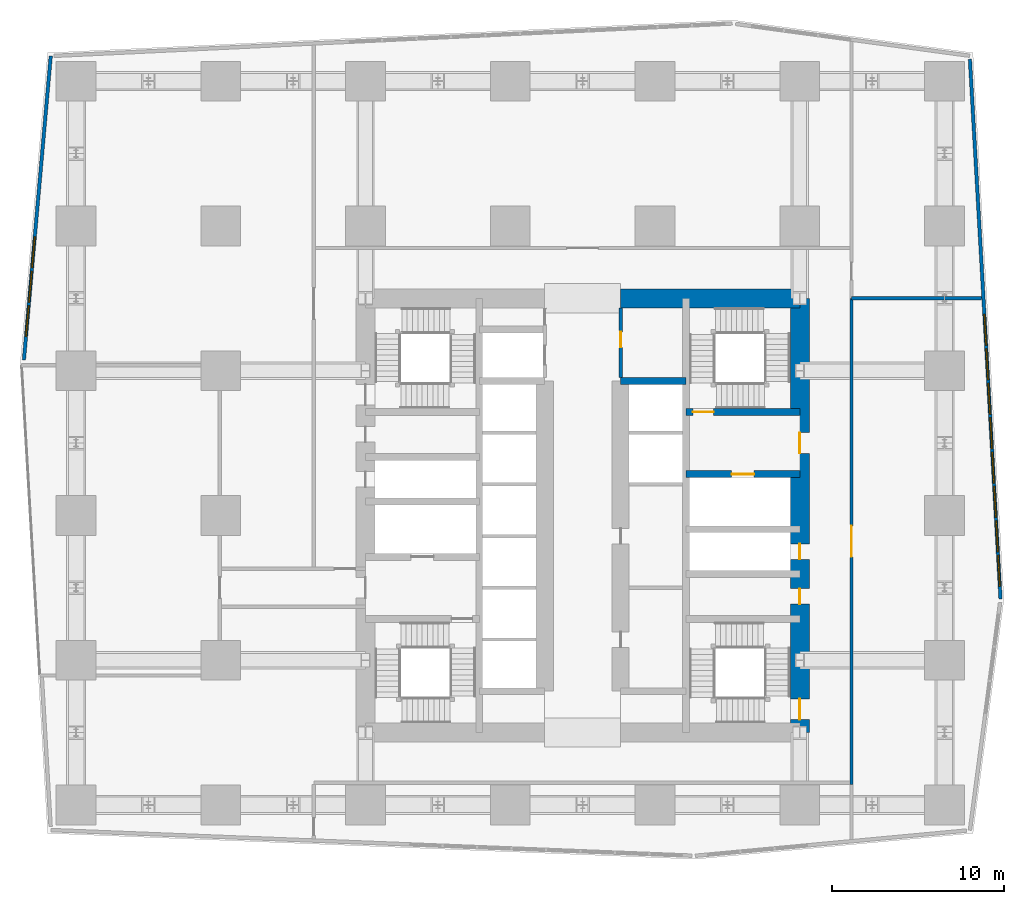
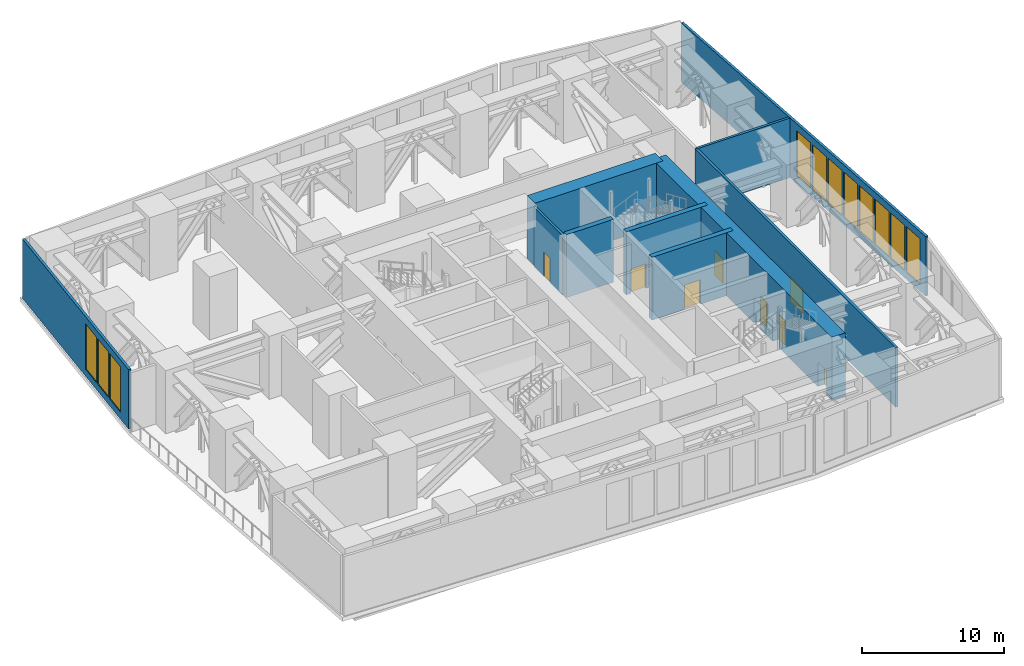
# One storey, part 10 of 16: 11 windows, 10 walls, 8 doors, 19 openings.
"""IFC4 building model written with IfcOpenShell, lengths in metres."""

from ifc_helpers import new_model, si_unit, direction, frame, frame_2d, origin, place, context, subcontext, project, spatial, rectangle, extrude, material, layer, layer_set, type_object, element, fill, save


model = new_model("IFC4")

# Units and contexts
model_context = context("Model", 3, precision=1e-05, world=origin(), true_north=direction((0.0, 1.0)))
body_context = subcontext(model_context, "Body", "Model", "MODEL_VIEW")
ifc_project = project(units=[si_unit("LENGTHUNIT", "METRE"), si_unit("AREAUNIT", "SQUARE_METRE"), si_unit("VOLUMEUNIT", "CUBIC_METRE"), si_unit("PLANEANGLEUNIT", "RADIAN"), si_unit("MASSUNIT", "GRAM", prefix="KILO")], contexts=[model_context])

# Site, building, storey
site_placement = place(None, origin())
site = spatial("IfcSite", under=ifc_project, at=site_placement, CompositionType="ELEMENT")
building_placement = place(site_placement, origin())
building = spatial("IfcBuilding", under=site, at=building_placement, Name="Rekha Terrace Tower", CompositionType="ELEMENT")
storey_placement = place(building_placement, frame((0.0, 0.0, 240.199951171875)))
storey = spatial("IfcBuildingStorey", under=building, at=storey_placement, Name="L61", CompositionType="ELEMENT", Elevation=240.199951171875)

# Wall
ifc_material_1 = material(Name="Concrete M60", Category="concrete")
ifc_layer_1 = layer(ifc_material_1, 0.39990234375)
ifc_layer_set_1 = layer_set([ifc_layer_1], Name="Concrete M60")
wall_type_1 = type_object("IfcWallType", Name="CI4 400 core internal shear wall", PredefinedType="SHEAR", material=ifc_layer_set_1)
wall_1_placement = place(storey_placement, frame((40.0, 41.39990234375, 0.0), z_axis=(0.0, 0.0, 1.0), x_axis=(1.0, 0.0, 0.0)))
element("IfcWall", 1, at=wall_1_placement, inside=storey, type_object=wall_type_1, Name="Core wall Y414E L61", PredefinedType="SHEAR", context=body_context, shape_type="SweptSolid", body=[
    extrude(rectangle(XDim=3.800048828125, YDim=0.39990234375, at=frame_2d((1.89990234375, 0.0))), origin(), (0.0, 0.0, 1.0), 5.400146484375),
])

# Wall, opening, door
wall_2_placement = place(storey_placement, frame((43.800048828125, 36.0, 0.0), z_axis=(0.0, 0.0, 1.0), x_axis=(1.0, 0.0, 0.0)))
wall_2 = element("IfcWall", 2, at=wall_2_placement, inside=storey, type_object=wall_type_1, Name="Core wall Y360E L61", PredefinedType="SHEAR", context=body_context, shape_type="SweptSolid", body=[
    extrude(rectangle(XDim=6.599853515625, YDim=0.39990234375, at=frame_2d((3.2998046875, 0.0))), origin(), (0.0, 0.0, 1.0), 5.400146484375),
])
opening_1_placement = place(wall_2_placement, frame((2.64990234375, 0.0, 0.0)))
opening_1 = element("IfcOpeningElement", 3, at=opening_1_placement, cuts=wall_2, Name="Opening LD2", PredefinedType="OPENING", context=body_context, shape_type="SweptSolid", body=[
    extrude(rectangle(XDim=1.300048828125, YDim=2.10009765625, at=frame_2d((0.64990234375, 1.050048828125))), frame((0.0, 0.2099609375, 0.0), z_axis=(0.0, -1.0, 0.0), x_axis=(1.0, 0.0, 0.0)), (0.0, 0.0, 1.0), 0.419921875),
])
ifc_material_2 = material(Name="Stainless steel sliding landing door", Category="steel")
door_type_1 = type_object("IfcDoorType", Name="LD2 1300x2100 fire lift landing door", OperationType="SLIDING_TO_LEFT", PredefinedType="USERDEFINED", material=ifc_material_2)
door_1_placement = place(opening_1_placement, origin())
door_1 = element("IfcDoor", 4, at=door_1_placement, inside=storey, type_object=door_type_1, Name="Lift FL2 landing door L61", ObjectType="LIFT LANDING DOOR", OperationType="SLIDING_TO_LEFT", OverallHeight=2.10009765625, OverallWidth=1.300048828125, PredefinedType="USERDEFINED", context=body_context, shape_type="SweptSolid", body=[
    extrude(rectangle(XDim=1.300048828125, YDim=2.10009765625, at=frame_2d((0.64990234375, 1.050048828125))), frame((0.0, 0.02490234375, 0.0), z_axis=(0.0, -1.0, 0.0), x_axis=(1.0, 0.0, 0.0)), (0.0, 0.0, 1.0), 0.050048828125),
])
fill(opening_1, door_1)

wall_3_placement = place(storey_placement, frame((43.800048828125, 39.60009765625, 0.0), z_axis=(0.0, 0.0, 1.0), x_axis=(1.0, 0.0, 0.0)))
wall_3 = element("IfcWall", 5, at=wall_3_placement, inside=storey, type_object=wall_type_1, Name="Core wall Y396E L61", PredefinedType="SHEAR", context=body_context, shape_type="SweptSolid", body=[
    extrude(rectangle(XDim=6.599853515625, YDim=0.39990234375, at=frame_2d((3.2998046875, 0.0))), origin(), (0.0, 0.0, 1.0), 5.400146484375),
])
opening_2_placement = place(wall_3_placement, frame((0.39990234375, 0.0, 0.0)))
opening_2 = element("IfcOpeningElement", 6, at=opening_2_placement, cuts=wall_3, Name="Opening D1", PredefinedType="OPENING", context=body_context, shape_type="SweptSolid", body=[
    extrude(rectangle(XDim=1.199951171875, YDim=2.10009765625, at=frame_2d((0.60009765625, 1.050048828125))), frame((0.0, 0.2099609375, 0.0), z_axis=(0.0, -1.0, 0.0), x_axis=(1.0, 0.0, 0.0)), (0.0, 0.0, 1.0), 0.419921875),
])
ifc_material_3 = material(Name="Steel fire door", Category="steel")
door_type_2 = type_object("IfcDoorType", Name="D1 1200x2100 stair fire door", OperationType="SINGLE_SWING_RIGHT", PredefinedType="DOOR", material=ifc_material_3)
door_2_placement = place(opening_2_placement, origin())
door_2 = element("IfcDoor", 7, at=door_2_placement, inside=storey, type_object=door_type_2, Name="Stair ST2 door L61", OperationType="SINGLE_SWING_RIGHT", OverallHeight=2.10009765625, OverallWidth=1.199951171875, PredefinedType="DOOR", context=body_context, shape_type="SweptSolid", body=[
    extrude(rectangle(XDim=1.199951171875, YDim=2.10009765625, at=frame_2d((0.60009765625, 1.050048828125))), frame((0.0, 0.02490234375, 0.0), z_axis=(0.0, -1.0, 0.0), x_axis=(1.0, 0.0, 0.0)), (0.0, 0.0, 1.0), 0.050048828125),
])
fill(opening_2, door_2)

# Wall, openings, windows
ifc_material_4 = material(Name="Aluminium cladding on steel stud wall", Category="steel")
ifc_layer_2 = layer(ifc_material_4, 0.199951171875)
ifc_layer_set_2 = layer_set([ifc_layer_2], Name="Aluminium cladding on steel stud wall")
wall_type_2 = type_object("IfcWallType", Name="EW1 plant floor louvre wall 200", PredefinedType="SOLIDWALL", material=ifc_layer_set_2)
wall_4_placement = place(storey_placement, frame((62.04931640625, 28.74755859375, 0.0), z_axis=(0.0, 0.0, 1.0), x_axis=(-0.056675308086, 0.998392662961, 0.0)))
wall_4 = element("IfcWall", 8, at=wall_4_placement, inside=storey, type_object=wall_type_2, Name="Plant floor louvre wall", PredefinedType="SOLIDWALL", context=body_context, shape_type="SweptSolid", body=[
    extrude(rectangle(XDim=31.37744140625, YDim=0.199951171875, at=frame_2d((15.688720703125, 0.0))), origin(), (0.0, 0.0, 1.0), 5.10009765625),
])
opening_3_placement = place(wall_4_placement, frame((0.745361328125, 0.0, 0.60009765625)))
opening_3 = element("IfcOpeningElement", 9, at=opening_3_placement, cuts=wall_4, Name="Opening LV2", PredefinedType="OPENING", context=body_context, shape_type="SweptSolid", body=[
    extrude(rectangle(XDim=1.800048828125, YDim=3.89990234375, at=frame_2d((0.89990234375, 1.949951171875))), frame((0.0, 0.10986328125, 0.0), z_axis=(0.0, -1.0, 0.0), x_axis=(1.0, 0.0, 0.0)), (0.0, 0.0, 1.0), 0.219970703125),
])
opening_4_placement = place(wall_4_placement, frame((2.745361328125, 0.0, 0.60009765625)))
opening_4 = element("IfcOpeningElement", 10, at=opening_4_placement, cuts=wall_4, Name="Opening LV2", PredefinedType="OPENING", context=body_context, shape_type="SweptSolid", body=[
    extrude(rectangle(XDim=1.800048828125, YDim=3.89990234375, at=frame_2d((0.89990234375, 1.949951171875))), frame((0.0, 0.10986328125, 0.0), z_axis=(0.0, -1.0, 0.0), x_axis=(1.0, 0.0, 0.0)), (0.0, 0.0, 1.0), 0.219970703125),
])
opening_5_placement = place(wall_4_placement, frame((4.745361328125, 0.0, 0.60009765625)))
opening_5 = element("IfcOpeningElement", 11, at=opening_5_placement, cuts=wall_4, Name="Opening LV2", PredefinedType="OPENING", context=body_context, shape_type="SweptSolid", body=[
    extrude(rectangle(XDim=1.800048828125, YDim=3.89990234375, at=frame_2d((0.89990234375, 1.949951171875))), frame((0.0, 0.10986328125, 0.0), z_axis=(0.0, -1.0, 0.0), x_axis=(1.0, 0.0, 0.0)), (0.0, 0.0, 1.0), 0.219970703125),
])
opening_6_placement = place(wall_4_placement, frame((6.745361328125, 0.0, 0.60009765625)))
opening_6 = element("IfcOpeningElement", 12, at=opening_6_placement, cuts=wall_4, Name="Opening LV2", PredefinedType="OPENING", context=body_context, shape_type="SweptSolid", body=[
    extrude(rectangle(XDim=1.800048828125, YDim=3.89990234375, at=frame_2d((0.89990234375, 1.949951171875))), frame((0.0, 0.10986328125, 0.0), z_axis=(0.0, -1.0, 0.0), x_axis=(1.0, 0.0, 0.0)), (0.0, 0.0, 1.0), 0.219970703125),
])
opening_7_placement = place(wall_4_placement, frame((8.745361328125, 0.0, 0.60009765625)))
opening_7 = element("IfcOpeningElement", 13, at=opening_7_placement, cuts=wall_4, Name="Opening LV2", PredefinedType="OPENING", context=body_context, shape_type="SweptSolid", body=[
    extrude(rectangle(XDim=1.800048828125, YDim=3.89990234375, at=frame_2d((0.89990234375, 1.949951171875))), frame((0.0, 0.10986328125, 0.0), z_axis=(0.0, -1.0, 0.0), x_axis=(1.0, 0.0, 0.0)), (0.0, 0.0, 1.0), 0.219970703125),
])
opening_8_placement = place(wall_4_placement, frame((10.745361328125, 0.0, 0.60009765625)))
opening_8 = element("IfcOpeningElement", 14, at=opening_8_placement, cuts=wall_4, Name="Opening LV2", PredefinedType="OPENING", context=body_context, shape_type="SweptSolid", body=[
    extrude(rectangle(XDim=1.800048828125, YDim=3.89990234375, at=frame_2d((0.89990234375, 1.949951171875))), frame((0.0, 0.10986328125, 0.0), z_axis=(0.0, -1.0, 0.0), x_axis=(1.0, 0.0, 0.0)), (0.0, 0.0, 1.0), 0.219970703125),
])
opening_9_placement = place(wall_4_placement, frame((12.745361328125, 0.0, 0.60009765625)))
opening_9 = element("IfcOpeningElement", 15, at=opening_9_placement, cuts=wall_4, Name="Opening LV2", PredefinedType="OPENING", context=body_context, shape_type="SweptSolid", body=[
    extrude(rectangle(XDim=1.800048828125, YDim=3.89990234375, at=frame_2d((0.89990234375, 1.949951171875))), frame((0.0, 0.10986328125, 0.0), z_axis=(0.0, -1.0, 0.0), x_axis=(1.0, 0.0, 0.0)), (0.0, 0.0, 1.0), 0.219970703125),
])
opening_10_placement = place(wall_4_placement, frame((14.745361328125, 0.0, 0.60009765625)))
opening_10 = element("IfcOpeningElement", 16, at=opening_10_placement, cuts=wall_4, Name="Opening LV2", PredefinedType="OPENING", context=body_context, shape_type="SweptSolid", body=[
    extrude(rectangle(XDim=1.800048828125, YDim=3.89990234375, at=frame_2d((0.89990234375, 1.949951171875))), frame((0.0, 0.10986328125, 0.0), z_axis=(0.0, -1.0, 0.0), x_axis=(1.0, 0.0, 0.0)), (0.0, 0.0, 1.0), 0.219970703125),
])
ifc_material_5 = material(Name="Extruded aluminium weather louvre", Category="aluminium")
window_type = type_object("IfcWindowType", Name="LV2 plant louvre 1800", PartitioningType="SINGLE_PANEL", PredefinedType="USERDEFINED", material=ifc_material_5)
window_1_placement = place(opening_3_placement, origin())
window_1 = element("IfcWindow", 17, at=window_1_placement, inside=storey, type_object=window_type, Name="Plant louvre", ObjectType="LOUVRE", OverallHeight=3.89990234375, OverallWidth=1.800048828125, PartitioningType="SINGLE_PANEL", PredefinedType="USERDEFINED", context=body_context, shape_type="SweptSolid", body=[
    extrude(rectangle(XDim=1.800048828125, YDim=3.89990234375, at=frame_2d((0.89990234375, 1.949951171875))), frame((0.0, 0.030029296875, 0.0), z_axis=(0.0, -1.0, 0.0), x_axis=(1.0, 0.0, 0.0)), (0.0, 0.0, 1.0), 0.06005859375),
])
fill(opening_3, window_1)
window_2_placement = place(opening_4_placement, origin())
window_2 = element("IfcWindow", 18, at=window_2_placement, inside=storey, type_object=window_type, Name="Plant louvre", ObjectType="LOUVRE", OverallHeight=3.89990234375, OverallWidth=1.800048828125, PartitioningType="SINGLE_PANEL", PredefinedType="USERDEFINED", context=body_context, shape_type="SweptSolid", body=[
    extrude(rectangle(XDim=1.800048828125, YDim=3.89990234375, at=frame_2d((0.89990234375, 1.949951171875))), frame((0.0, 0.030029296875, 0.0), z_axis=(0.0, -1.0, 0.0), x_axis=(1.0, 0.0, 0.0)), (0.0, 0.0, 1.0), 0.06005859375),
])
fill(opening_4, window_2)
window_3_placement = place(opening_5_placement, origin())
window_3 = element("IfcWindow", 19, at=window_3_placement, inside=storey, type_object=window_type, Name="Plant louvre", ObjectType="LOUVRE", OverallHeight=3.89990234375, OverallWidth=1.800048828125, PartitioningType="SINGLE_PANEL", PredefinedType="USERDEFINED", context=body_context, shape_type="SweptSolid", body=[
    extrude(rectangle(XDim=1.800048828125, YDim=3.89990234375, at=frame_2d((0.89990234375, 1.949951171875))), frame((0.0, 0.030029296875, 0.0), z_axis=(0.0, -1.0, 0.0), x_axis=(1.0, 0.0, 0.0)), (0.0, 0.0, 1.0), 0.06005859375),
])
fill(opening_5, window_3)
window_4_placement = place(opening_6_placement, origin())
window_4 = element("IfcWindow", 20, at=window_4_placement, inside=storey, type_object=window_type, Name="Plant louvre", ObjectType="LOUVRE", OverallHeight=3.89990234375, OverallWidth=1.800048828125, PartitioningType="SINGLE_PANEL", PredefinedType="USERDEFINED", context=body_context, shape_type="SweptSolid", body=[
    extrude(rectangle(XDim=1.800048828125, YDim=3.89990234375, at=frame_2d((0.89990234375, 1.949951171875))), frame((0.0, 0.030029296875, 0.0), z_axis=(0.0, -1.0, 0.0), x_axis=(1.0, 0.0, 0.0)), (0.0, 0.0, 1.0), 0.06005859375),
])
fill(opening_6, window_4)
window_5_placement = place(opening_7_placement, origin())
window_5 = element("IfcWindow", 21, at=window_5_placement, inside=storey, type_object=window_type, Name="Plant louvre", ObjectType="LOUVRE", OverallHeight=3.89990234375, OverallWidth=1.800048828125, PartitioningType="SINGLE_PANEL", PredefinedType="USERDEFINED", context=body_context, shape_type="SweptSolid", body=[
    extrude(rectangle(XDim=1.800048828125, YDim=3.89990234375, at=frame_2d((0.89990234375, 1.949951171875))), frame((0.0, 0.030029296875, 0.0), z_axis=(0.0, -1.0, 0.0), x_axis=(1.0, 0.0, 0.0)), (0.0, 0.0, 1.0), 0.06005859375),
])
fill(opening_7, window_5)
window_6_placement = place(opening_8_placement, origin())
window_6 = element("IfcWindow", 22, at=window_6_placement, inside=storey, type_object=window_type, Name="Plant louvre", ObjectType="LOUVRE", OverallHeight=3.89990234375, OverallWidth=1.800048828125, PartitioningType="SINGLE_PANEL", PredefinedType="USERDEFINED", context=body_context, shape_type="SweptSolid", body=[
    extrude(rectangle(XDim=1.800048828125, YDim=3.89990234375, at=frame_2d((0.89990234375, 1.949951171875))), frame((0.0, 0.030029296875, 0.0), z_axis=(0.0, -1.0, 0.0), x_axis=(1.0, 0.0, 0.0)), (0.0, 0.0, 1.0), 0.06005859375),
])
fill(opening_8, window_6)
window_7_placement = place(opening_9_placement, origin())
window_7 = element("IfcWindow", 23, at=window_7_placement, inside=storey, type_object=window_type, Name="Plant louvre", ObjectType="LOUVRE", OverallHeight=3.89990234375, OverallWidth=1.800048828125, PartitioningType="SINGLE_PANEL", PredefinedType="USERDEFINED", context=body_context, shape_type="SweptSolid", body=[
    extrude(rectangle(XDim=1.800048828125, YDim=3.89990234375, at=frame_2d((0.89990234375, 1.949951171875))), frame((0.0, 0.030029296875, 0.0), z_axis=(0.0, -1.0, 0.0), x_axis=(1.0, 0.0, 0.0)), (0.0, 0.0, 1.0), 0.06005859375),
])
fill(opening_9, window_7)
window_8_placement = place(opening_10_placement, origin())
window_8 = element("IfcWindow", 24, at=window_8_placement, inside=storey, type_object=window_type, Name="Plant louvre", ObjectType="LOUVRE", OverallHeight=3.89990234375, OverallWidth=1.800048828125, PartitioningType="SINGLE_PANEL", PredefinedType="USERDEFINED", context=body_context, shape_type="SweptSolid", body=[
    extrude(rectangle(XDim=1.800048828125, YDim=3.89990234375, at=frame_2d((0.89990234375, 1.949951171875))), frame((0.0, 0.030029296875, 0.0), z_axis=(0.0, -1.0, 0.0), x_axis=(1.0, 0.0, 0.0)), (0.0, 0.0, 1.0), 0.06005859375),
])
fill(opening_10, window_8)

wall_5_placement = place(storey_placement, frame((6.933837890625, 60.258544921875, 0.0), z_axis=(0.0, 0.0, 1.0), x_axis=(-0.087959828473, -0.996124022687, 0.0)))
wall_5 = element("IfcWall", 25, at=wall_5_placement, inside=storey, type_object=wall_type_2, Name="Plant floor louvre wall", PredefinedType="SOLIDWALL", context=body_context, shape_type="SweptSolid", body=[
    extrude(rectangle(XDim=17.699951171875, YDim=0.199951171875, at=frame_2d((8.85009765625, 0.0))), origin(), (0.0, 0.0, 1.0), 5.10009765625),
])
opening_11_placement = place(wall_5_placement, frame((10.536376953125, 0.0, 0.60009765625)))
opening_11 = element("IfcOpeningElement", 26, at=opening_11_placement, cuts=wall_5, Name="Opening LV2", PredefinedType="OPENING", context=body_context, shape_type="SweptSolid", body=[
    extrude(rectangle(XDim=1.800048828125, YDim=3.89990234375, at=frame_2d((0.89990234375, 1.949951171875))), frame((0.0, 0.10986328125, 0.0), z_axis=(0.0, -1.0, 0.0), x_axis=(1.0, 0.0, 0.0)), (0.0, 0.0, 1.0), 0.219970703125),
])
opening_12_placement = place(wall_5_placement, frame((12.536376953125, 0.0, 0.60009765625)))
opening_12 = element("IfcOpeningElement", 27, at=opening_12_placement, cuts=wall_5, Name="Opening LV2", PredefinedType="OPENING", context=body_context, shape_type="SweptSolid", body=[
    extrude(rectangle(XDim=1.800048828125, YDim=3.89990234375, at=frame_2d((0.89990234375, 1.949951171875))), frame((0.0, 0.10986328125, 0.0), z_axis=(0.0, -1.0, 0.0), x_axis=(1.0, 0.0, 0.0)), (0.0, 0.0, 1.0), 0.219970703125),
])
opening_13_placement = place(wall_5_placement, frame((14.536376953125, 0.0, 0.60009765625)))
opening_13 = element("IfcOpeningElement", 28, at=opening_13_placement, cuts=wall_5, Name="Opening LV2", PredefinedType="OPENING", context=body_context, shape_type="SweptSolid", body=[
    extrude(rectangle(XDim=1.800048828125, YDim=3.89990234375, at=frame_2d((0.89990234375, 1.949951171875))), frame((0.0, 0.10986328125, 0.0), z_axis=(0.0, -1.0, 0.0), x_axis=(1.0, 0.0, 0.0)), (0.0, 0.0, 1.0), 0.219970703125),
])
window_9_placement = place(opening_11_placement, origin())
window_9 = element("IfcWindow", 29, at=window_9_placement, inside=storey, type_object=window_type, Name="Plant louvre", ObjectType="LOUVRE", OverallHeight=3.89990234375, OverallWidth=1.800048828125, PartitioningType="SINGLE_PANEL", PredefinedType="USERDEFINED", context=body_context, shape_type="SweptSolid", body=[
    extrude(rectangle(XDim=1.800048828125, YDim=3.89990234375, at=frame_2d((0.89990234375, 1.949951171875))), frame((0.0, 0.030029296875, 0.0), z_axis=(0.0, -1.0, 0.0), x_axis=(1.0, 0.0, 0.0)), (0.0, 0.0, 1.0), 0.06005859375),
])
fill(opening_11, window_9)
window_10_placement = place(opening_12_placement, origin())
window_10 = element("IfcWindow", 30, at=window_10_placement, inside=storey, type_object=window_type, Name="Plant louvre", ObjectType="LOUVRE", OverallHeight=3.89990234375, OverallWidth=1.800048828125, PartitioningType="SINGLE_PANEL", PredefinedType="USERDEFINED", context=body_context, shape_type="SweptSolid", body=[
    extrude(rectangle(XDim=1.800048828125, YDim=3.89990234375, at=frame_2d((0.89990234375, 1.949951171875))), frame((0.0, 0.030029296875, 0.0), z_axis=(0.0, -1.0, 0.0), x_axis=(1.0, 0.0, 0.0)), (0.0, 0.0, 1.0), 0.06005859375),
])
fill(opening_12, window_10)
window_11_placement = place(opening_13_placement, origin())
window_11 = element("IfcWindow", 31, at=window_11_placement, inside=storey, type_object=window_type, Name="Plant louvre", ObjectType="LOUVRE", OverallHeight=3.89990234375, OverallWidth=1.800048828125, PartitioningType="SINGLE_PANEL", PredefinedType="USERDEFINED", context=body_context, shape_type="SweptSolid", body=[
    extrude(rectangle(XDim=1.800048828125, YDim=3.89990234375, at=frame_2d((0.89990234375, 1.949951171875))), frame((0.0, 0.030029296875, 0.0), z_axis=(0.0, -1.0, 0.0), x_axis=(1.0, 0.0, 0.0)), (0.0, 0.0, 1.0), 0.06005859375),
])
fill(opening_13, window_11)

# Wall
ifc_layer_3 = layer(ifc_material_1, 1.10009765625)
ifc_layer_set_3 = layer_set([ifc_layer_3], Name="Concrete M60")
wall_type_3 = type_object("IfcWallType", Name="SW4 1100 core outer shear wall", PredefinedType="SHEAR", material=ifc_layer_set_3)
wall_6_placement = place(storey_placement, frame((40.0, 46.199951171875, 0.0), z_axis=(0.0, 0.0, 1.0), x_axis=(1.0, 0.0, 0.0)))
element("IfcWall", 32, at=wall_6_placement, inside=storey, type_object=wall_type_3, Name="Core wall N2 L61", PredefinedType="SHEAR", context=body_context, shape_type="SweptSolid", body=[
    extrude(rectangle(XDim=10.39990234375, YDim=1.10009765625, at=frame_2d((5.199951171875, 0.0))), origin(), (0.0, 0.0, 1.0), 5.400146484375),
])

# Wall, openings, doors
wall_7_placement = place(storey_placement, frame((50.39990234375, 21.0, 0.0), z_axis=(0.0, 0.0, 1.0), x_axis=(0.0, 1.0, 0.0)))
wall_7 = element("IfcWall", 33, at=wall_7_placement, inside=storey, type_object=wall_type_3, Name="Core wall E L61", PredefinedType="SHEAR", context=body_context, shape_type="SweptSolid", body=[
    extrude(rectangle(XDim=25.199951171875, YDim=1.10009765625, at=frame_2d((12.60009765625, 0.0))), origin(), (0.0, 0.0, 1.0), 5.400146484375),
])
opening_14_placement = place(wall_7_placement, frame((16.199951171875, 0.0, 0.0)))
opening_14 = element("IfcOpeningElement", 34, at=opening_14_placement, cuts=wall_7, Name="Opening D2", PredefinedType="OPENING", context=body_context, shape_type="SweptSolid", body=[
    extrude(rectangle(XDim=1.199951171875, YDim=2.10009765625, at=frame_2d((0.60009765625, 1.050048828125))), frame((0.0, 0.56005859375, 0.0), z_axis=(0.0, -1.0, 0.0), x_axis=(1.0, 0.0, 0.0)), (0.0, 0.0, 1.0), 1.1201171875),
])
opening_15_placement = place(wall_7_placement, frame((10.050048828125, 0.0, 0.0)))
opening_15 = element("IfcOpeningElement", 35, at=opening_15_placement, cuts=wall_7, Name="Opening D5", PredefinedType="OPENING", context=body_context, shape_type="SweptSolid", body=[
    extrude(rectangle(XDim=0.89990234375, YDim=2.10009765625, at=frame_2d((0.449951171875, 1.050048828125))), frame((0.0, 0.56005859375, 0.0), z_axis=(0.0, -1.0, 0.0), x_axis=(1.0, 0.0, 0.0)), (0.0, 0.0, 1.0), 1.1201171875),
])
opening_16_placement = place(wall_7_placement, frame((7.449951171875, 0.0, 0.0)))
opening_16 = element("IfcOpeningElement", 36, at=opening_16_placement, cuts=wall_7, Name="Opening D5", PredefinedType="OPENING", context=body_context, shape_type="SweptSolid", body=[
    extrude(rectangle(XDim=0.89990234375, YDim=2.10009765625, at=frame_2d((0.449951171875, 1.050048828125))), frame((0.0, 0.56005859375, 0.0), z_axis=(0.0, -1.0, 0.0), x_axis=(1.0, 0.0, 0.0)), (0.0, 0.0, 1.0), 1.1201171875),
])
opening_17_placement = place(wall_7_placement, frame((0.75, 0.0, 0.0)))
opening_17 = element("IfcOpeningElement", 37, at=opening_17_placement, cuts=wall_7, Name="Opening D1", PredefinedType="OPENING", context=body_context, shape_type="SweptSolid", body=[
    extrude(rectangle(XDim=1.199951171875, YDim=2.10009765625, at=frame_2d((0.60009765625, 1.050048828125))), frame((0.0, 0.56005859375, 0.0), z_axis=(0.0, -1.0, 0.0), x_axis=(1.0, 0.0, 0.0)), (0.0, 0.0, 1.0), 1.1201171875),
])
door_3_placement = place(opening_17_placement, origin())
door_3 = element("IfcDoor", 38, at=door_3_placement, inside=storey, type_object=door_type_2, Name="Stair ST3 door L61", OperationType="SINGLE_SWING_RIGHT", OverallHeight=2.10009765625, OverallWidth=1.199951171875, PredefinedType="DOOR", context=body_context, shape_type="SweptSolid", body=[
    extrude(rectangle(XDim=1.199951171875, YDim=2.10009765625, at=frame_2d((0.60009765625, 1.050048828125))), frame((0.0, 0.02490234375, 0.0), z_axis=(0.0, -1.0, 0.0), x_axis=(1.0, 0.0, 0.0)), (0.0, 0.0, 1.0), 0.050048828125),
])
fill(opening_17, door_3)
door_type_3 = type_object("IfcDoorType", Name="D2 1200x2100 firefighting lobby door", OperationType="SINGLE_SWING_LEFT", PredefinedType="DOOR", material=ifc_material_3)
door_4_placement = place(opening_14_placement, origin())
door_4 = element("IfcDoor", 39, at=door_4_placement, inside=storey, type_object=door_type_3, Name="Door flb2 L61", OperationType="SINGLE_SWING_LEFT", OverallHeight=2.10009765625, OverallWidth=1.199951171875, PredefinedType="DOOR", context=body_context, shape_type="SweptSolid", body=[
    extrude(rectangle(XDim=1.199951171875, YDim=2.10009765625, at=frame_2d((0.60009765625, 1.050048828125))), frame((0.0, 0.02490234375, 0.0), z_axis=(0.0, -1.0, 0.0), x_axis=(1.0, 0.0, 0.0)), (0.0, 0.0, 1.0), 0.050048828125),
])
fill(opening_14, door_4)
door_type_4 = type_object("IfcDoorType", Name="D5 900x2100 riser access door", OperationType="SINGLE_SWING_LEFT", PredefinedType="DOOR", material=ifc_material_3)
door_5_placement = place(opening_15_placement, origin())
door_5 = element("IfcDoor", 40, at=door_5_placement, inside=storey, type_object=door_type_4, Name="Door rs2 L61", OperationType="SINGLE_SWING_LEFT", OverallHeight=2.10009765625, OverallWidth=0.89990234375, PredefinedType="DOOR", context=body_context, shape_type="SweptSolid", body=[
    extrude(rectangle(XDim=0.89990234375, YDim=2.10009765625, at=frame_2d((0.449951171875, 1.050048828125))), frame((0.0, 0.02490234375, 0.0), z_axis=(0.0, -1.0, 0.0), x_axis=(1.0, 0.0, 0.0)), (0.0, 0.0, 1.0), 0.050048828125),
])
fill(opening_15, door_5)
door_6_placement = place(opening_16_placement, origin())
door_6 = element("IfcDoor", 41, at=door_6_placement, inside=storey, type_object=door_type_4, Name="Door ele L61", OperationType="SINGLE_SWING_LEFT", OverallHeight=2.10009765625, OverallWidth=0.89990234375, PredefinedType="DOOR", context=body_context, shape_type="SweptSolid", body=[
    extrude(rectangle(XDim=0.89990234375, YDim=2.10009765625, at=frame_2d((0.449951171875, 1.050048828125))), frame((0.0, 0.02490234375, 0.0), z_axis=(0.0, -1.0, 0.0), x_axis=(1.0, 0.0, 0.0)), (0.0, 0.0, 1.0), 0.050048828125),
])
fill(opening_16, door_6)

# Wall
ifc_material_6 = material(Name="Solid concrete block masonry, 2 hour", Category="masonry")
ifc_layer_4 = layer(ifc_material_6, 0.199951171875)
ifc_layer_set_4 = layer_set([ifc_layer_4], Name="Solid concrete block masonry, 2 hour")
wall_type_4 = type_object("IfcWallType", Name="WP1 200 plant room wall", PredefinedType="PARTITIONING", material=ifc_layer_set_4)
wall_8_placement = place(storey_placement, frame((60.9580078125, 46.199951171875, 0.0), z_axis=(0.0, 0.0, 1.0), x_axis=(-1.0, 0.0, 0.0)))
element("IfcWall", 42, at=wall_8_placement, inside=storey, type_object=wall_type_4, Name="Partition L61-07", PredefinedType="PARTITIONING", context=body_context, shape_type="SweptSolid", body=[
    extrude(rectangle(XDim=7.55810546875, YDim=0.199951171875, at=frame_2d((3.779052734375, 0.0))), origin(), (0.0, 0.0, 1.0), 5.10009765625),
])

# Wall, opening, door
wall_9_placement = place(storey_placement, frame((53.39990234375, 18.0, 0.0), z_axis=(0.0, 0.0, 1.0), x_axis=(0.0, 1.0, 0.0)))
wall_9 = element("IfcWall", 43, at=wall_9_placement, inside=storey, type_object=wall_type_4, Name="Partition L61-04", PredefinedType="PARTITIONING", context=body_context, shape_type="SweptSolid", body=[
    extrude(rectangle(XDim=28.199951171875, YDim=0.199951171875, at=frame_2d((14.10009765625, 0.0))), origin(), (0.0, 0.0, 1.0), 5.10009765625),
])
opening_18_placement = place(wall_9_placement, frame((13.199951171875, 0.0, 0.0)))
opening_18 = element("IfcOpeningElement", 44, at=opening_18_placement, cuts=wall_9, Name="Opening D6", PredefinedType="OPENING", context=body_context, shape_type="SweptSolid", body=[
    extrude(rectangle(XDim=1.800048828125, YDim=2.10009765625, at=frame_2d((0.89990234375, 1.050048828125))), frame((0.0, 0.10986328125, 0.0), z_axis=(0.0, -1.0, 0.0), x_axis=(1.0, 0.0, 0.0)), (0.0, 0.0, 1.0), 0.219970703125),
])
door_type_5 = type_object("IfcDoorType", Name="D6 1800x2100 plant room double door", OperationType="DOUBLE_DOOR_SINGLE_SWING", PredefinedType="DOOR", material=ifc_material_3)
door_7_placement = place(opening_18_placement, origin())
door_7 = element("IfcDoor", 45, at=door_7_placement, inside=storey, type_object=door_type_5, Name="Door chiller plant room L61", OperationType="DOUBLE_DOOR_SINGLE_SWING", OverallHeight=2.10009765625, OverallWidth=1.800048828125, PredefinedType="DOOR", context=body_context, shape_type="SweptSolid", body=[
    extrude(rectangle(XDim=1.800048828125, YDim=2.10009765625, at=frame_2d((0.89990234375, 1.050048828125))), frame((0.0, 0.02490234375, 0.0), z_axis=(0.0, -1.0, 0.0), x_axis=(1.0, 0.0, 0.0)), (0.0, 0.0, 1.0), 0.050048828125),
])
fill(opening_18, door_7)

ifc_layer_5 = layer(ifc_material_6, 0.199951171875)
ifc_layer_set_5 = layer_set([ifc_layer_5], Name="Solid concrete block masonry, 2 hour")
wall_type_5 = type_object("IfcWallType", Name="WS1 200 stair and shaft enclosure", PredefinedType="PARTITIONING", material=ifc_layer_set_5)
wall_10_placement = place(storey_placement, frame((40.0, 41.60009765625, 0.0), z_axis=(0.0, 0.0, 1.0), x_axis=(0.0, 1.0, 0.0)))
wall_10 = element("IfcWall", 46, at=wall_10_placement, inside=storey, type_object=wall_type_5, Name="Core partition elec L61", PredefinedType="PARTITIONING", context=body_context, shape_type="SweptSolid", body=[
    extrude(rectangle(XDim=4.0498046875, YDim=0.199951171875, at=frame_2d((2.02490234375, 0.0))), origin(), (0.0, 0.0, 1.0), 5.10009765625),
])
opening_19_placement = place(wall_10_placement, frame((1.75, 0.0, 0.0)))
opening_19 = element("IfcOpeningElement", 47, at=opening_19_placement, cuts=wall_10, Name="Opening D5", PredefinedType="OPENING", context=body_context, shape_type="SweptSolid", body=[
    extrude(rectangle(XDim=0.89990234375, YDim=2.10009765625, at=frame_2d((0.449951171875, 1.050048828125))), frame((0.0, 0.10986328125, 0.0), z_axis=(0.0, -1.0, 0.0), x_axis=(1.0, 0.0, 0.0)), (0.0, 0.0, 1.0), 0.219970703125),
])
door_8_placement = place(opening_19_placement, origin())
door_8 = element("IfcDoor", 48, at=door_8_placement, inside=storey, type_object=door_type_4, Name="Door electrical room L61", OperationType="SINGLE_SWING_LEFT", OverallHeight=2.10009765625, OverallWidth=0.89990234375, PredefinedType="DOOR", context=body_context, shape_type="SweptSolid", body=[
    extrude(rectangle(XDim=0.89990234375, YDim=2.10009765625, at=frame_2d((0.449951171875, 1.050048828125))), frame((0.0, 0.02490234375, 0.0), z_axis=(0.0, -1.0, 0.0), x_axis=(1.0, 0.0, 0.0)), (0.0, 0.0, 1.0), 0.050048828125),
])
fill(opening_19, door_8)

save(model, "model.ifc")
